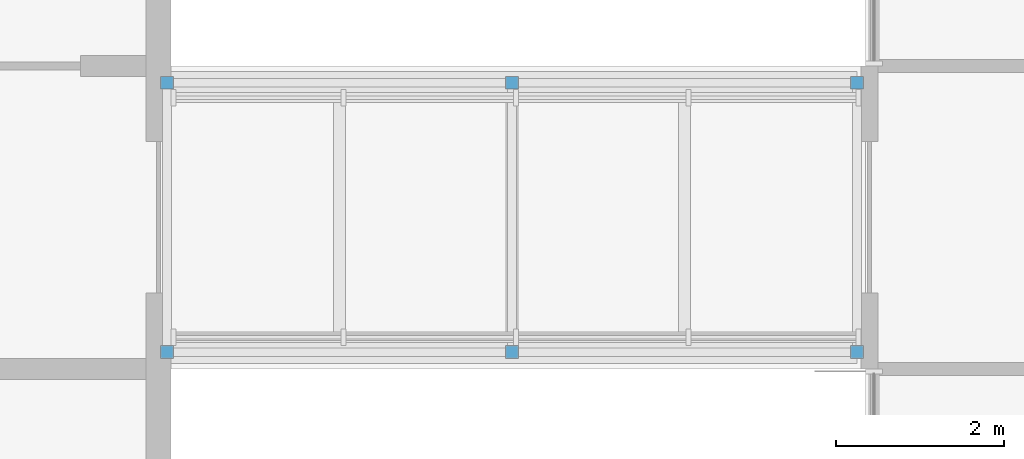
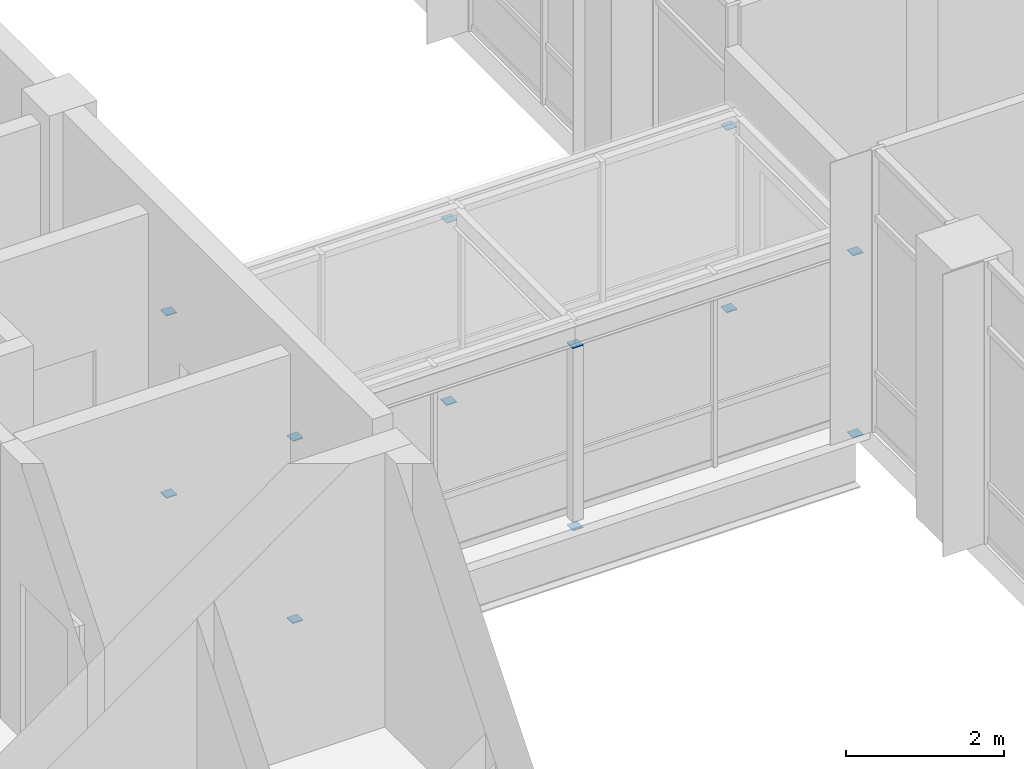
# One storey, part 52 of 70: 12 discrete accessories.
"""IFC4 building model written with IfcOpenShell, lengths in metres."""

from ifc_helpers import new_model, si_unit, direction, frame, origin, origin_2d, place, context, subcontext, project, spatial, rectangle, extrude, material, element, save


model = new_model("IFC4")

# Units and contexts
model_context = context("Model", 3, precision=1e-05, world=origin(), true_north=direction((0.0, 1.0)))
body_context = subcontext(model_context, "Body", "Model", "MODEL_VIEW")
ifc_project = project(units=[si_unit("LENGTHUNIT", "METRE"), si_unit("AREAUNIT", "SQUARE_METRE"), si_unit("VOLUMEUNIT", "CUBIC_METRE"), si_unit("PLANEANGLEUNIT", "RADIAN"), si_unit("MASSUNIT", "GRAM", prefix="KILO")], contexts=[model_context])

# Site, building, storey
site_placement = place(None, origin())
site = spatial("IfcSite", under=ifc_project, at=site_placement, CompositionType="ELEMENT")
building_placement = place(site_placement, origin())
building = spatial("IfcBuilding", under=site, at=building_placement, Name="Hlaing Beacon Police Headquarters", CompositionType="ELEMENT")
storey_placement = place(building_placement, frame((0.0, 0.0, 5.39990234375)))
storey = spatial("IfcBuildingStorey", under=building, at=storey_placement, Name="L01", CompositionType="ELEMENT", Elevation=5.39990234375)

# Discrete accessories
ifc_material = material(Name="Steel ASTM A572 Grade 50", Category="steel")
for number, where, z_axis, x_axis, name in (
    (1, (92.5, 44.60009765625, -0.123779296875), (0.0, 0.0, -1.0), (1.0, 0.0, 0.0), "Gusset plate GP-735"),
    (2, (92.5, 44.60009765625, 2.68408203125), (0.0, 0.0, 1.0), (1.0, 0.0, 0.0), "Gusset plate GP-736"),
    (3, (96.60009765625, 44.60009765625, -0.123779296875), (0.0, 0.0, -1.0), (1.0, 0.0, 0.0), "Gusset plate GP-737"),
    (4, (96.60009765625, 44.60009765625, 2.68408203125), (0.0, 0.0, 1.0), (1.0, 0.0, 0.0), "Gusset plate GP-738"),
    (5, (100.699951171875, 44.60009765625, -0.123779296875), (0.0, 0.0, -1.0), (1.0, 0.0, 0.0), "Gusset plate GP-739"),
    (6, (100.699951171875, 44.60009765625, 2.68408203125), (0.0, 0.0, 1.0), (1.0, 0.0, 0.0), "Gusset plate GP-740"),
    (7, (92.5, 47.800048828125, -0.123779296875), (0.0, 0.0, -1.0), (1.0, 0.0, 0.0), "Gusset plate GP-741"),
    (8, (92.5, 47.800048828125, 2.68408203125), (0.0, 0.0, 1.0), (1.0, 0.0, 0.0), "Gusset plate GP-742"),
    (9, (96.60009765625, 47.800048828125, -0.123779296875), (0.0, 0.0, -1.0), (1.0, 0.0, 0.0), "Gusset plate GP-743"),
    (10, (96.60009765625, 47.800048828125, 2.68408203125), (0.0, 0.0, 1.0), (1.0, 0.0, 0.0), "Gusset plate GP-744"),
    (11, (100.699951171875, 47.800048828125, -0.123779296875), (0.0, 0.0, -1.0), (1.0, 0.0, 0.0), "Gusset plate GP-745"),
    (12, (100.699951171875, 47.800048828125, 2.68408203125), (0.0, 0.0, 1.0), (1.0, 0.0, 0.0), "Gusset plate GP-746"),
):
    element("IfcDiscreteAccessory", number, at=place(storey_placement, frame(where, z_axis=z_axis, x_axis=x_axis)), inside=storey, material=ifc_material, Name=name, PredefinedType="BRACKET", context=body_context, shape_type="SweptSolid", body=[
        extrude(rectangle(XDim=0.15234375, YDim=0.15234375, at=origin_2d()), origin(), (0.0, 0.0, 1.0), 0.011962890625),
    ])

save(model, "model.ifc")
